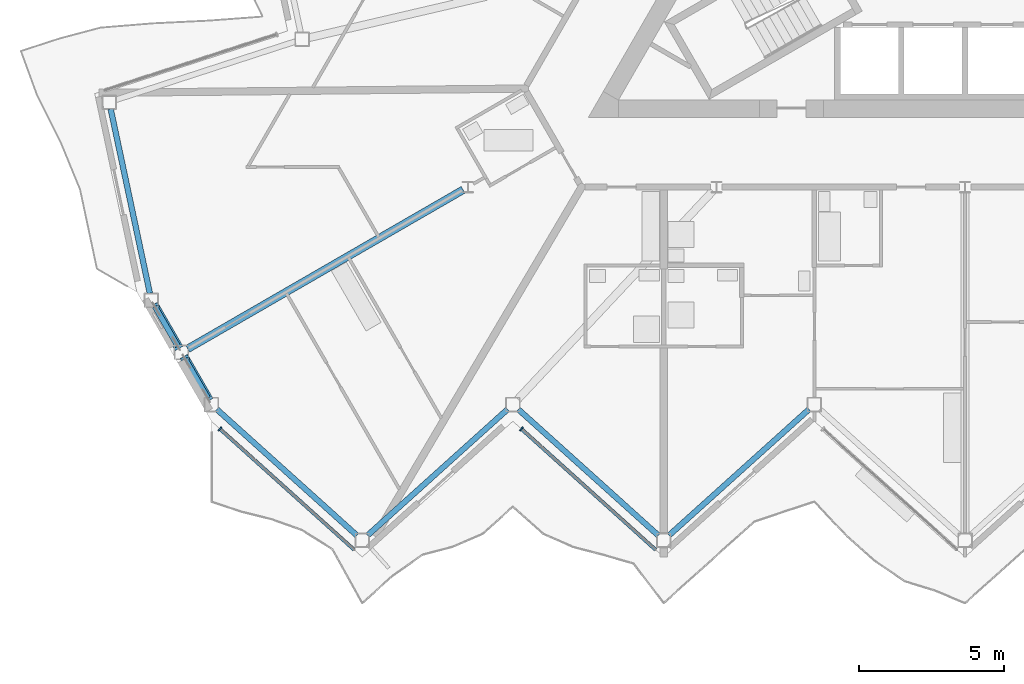
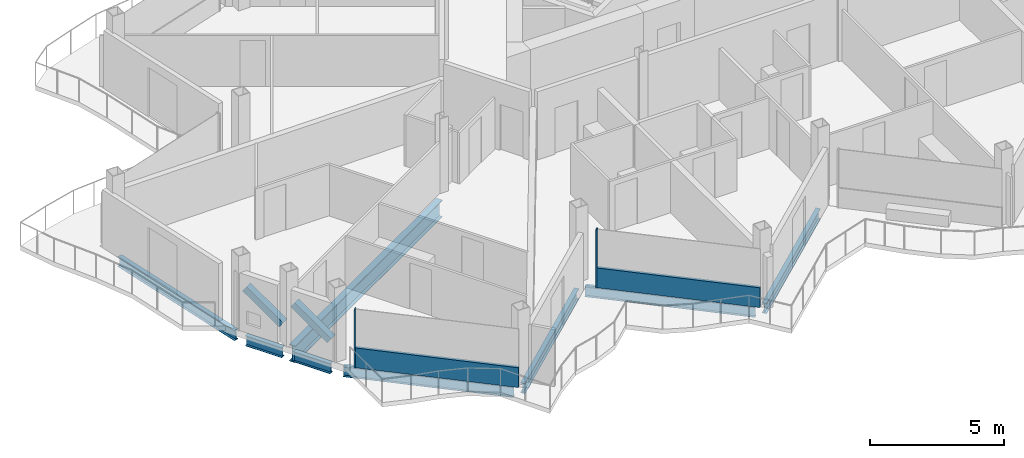
# One storey, part 4 of 26: 8 beams, 6 members, 2 elements without a shape of their own.
"""IFC4 building model written with IfcOpenShell, lengths in metres."""

from ifc_helpers import new_model, si_unit, direction, frame, origin, origin_2d, place, context, subcontext, project, spatial, rectangle, hollow_rectangle, i_section, extrude, material, layer, layer_set, material_profile, profile_set, type_object, element, aggregate, save


model = new_model("IFC4")

# Units and contexts
model_context = context("Model", 3, precision=1e-05, world=origin(), true_north=direction((0.0, 1.0)))
body_context = subcontext(model_context, "Body", "Model", "MODEL_VIEW")
ifc_project = project(units=[si_unit("LENGTHUNIT", "METRE"), si_unit("AREAUNIT", "SQUARE_METRE"), si_unit("VOLUMEUNIT", "CUBIC_METRE"), si_unit("PLANEANGLEUNIT", "RADIAN"), si_unit("MASSUNIT", "GRAM", prefix="KILO")], contexts=[model_context])

# Site, building, storey
site_placement = place(None, origin())
site = spatial("IfcSite", under=ifc_project, at=site_placement, CompositionType="ELEMENT")
building_placement = place(site_placement, origin())
building = spatial("IfcBuilding", under=site, at=building_placement, Name="Cormorant Prow Tower", CompositionType="ELEMENT")
storey_placement = place(building_placement, frame((0.0, 0.0, 371.199951171875)))
storey = spatial("IfcBuildingStorey", under=building, at=storey_placement, Name="L83", CompositionType="ELEMENT", Elevation=371.199951171875)

# Members
ifc_material_1 = material(Name="Structural steel ASTM A500 Gr C", Category="steel")
ifc_material_profile_1 = material_profile(ifc_material_1, hollow_rectangle(XDim=0.3046875, YDim=0.3046875, WallThickness=0.01171875, at=origin_2d()), Name="HSS12x12x1/2")
ifc_profile_set_1 = profile_set([ifc_material_profile_1], Name="Structural steel ASTM A500 Gr C")
member_type_1 = type_object("IfcMemberType", Name="Chamfer brace HSS12x12x1/2", PredefinedType="BRACE", material=ifc_profile_set_1)
member_1_placement = place(storey_placement, frame((-27.160400390625, -15.39599609375, 0.770751953125), z_axis=(-0.411259909174, 0.712333680754, 0.568723143867), x_axis=(-0.866028632512, -0.499994407638, 0.0)))
element("IfcMember", 1, at=member_1_placement, inside=storey, type_object=member_type_1, Name="Chamfer brace BR3 at WSW00 L83", PredefinedType="BRACE", context=body_context, shape_type="SweptSolid", body=[
    extrude(hollow_rectangle(XDim=0.3046875, YDim=0.3046875, WallThickness=0.01171875, at=origin_2d()), origin(), (0.0, 0.0, 1.0), 1.921142578125),
])
member_2_placement = place(storey_placement, frame((-26.123291015625, -17.192138671875, 0.770751953125), z_axis=(-0.41132825952, 0.712359043209, 0.568641940485), x_axis=(-0.866000359435, -0.500043375578, 0.0)))
element("IfcMember", 2, at=member_2_placement, inside=storey, type_object=member_type_1, Name="Chamfer brace BR3 at WSW01 L83", PredefinedType="BRACE", context=body_context, shape_type="SweptSolid", body=[
    extrude(hollow_rectangle(XDim=0.3046875, YDim=0.3046875, WallThickness=0.01171875, at=origin_2d()), origin(), (0.0, 0.0, 1.0), 1.92138671875),
])

# Beam
ifc_material_2 = material(Name="Structural steel ASTM A992 Gr 50", Category="steel")
ifc_material_profile_2 = material_profile(ifc_material_2, i_section(OverallWidth=0.267822265625, OverallDepth=0.77001953125, WebThickness=0.015625, FlangeThickness=0.025390625, at=origin_2d()), Name="W30x132")
ifc_profile_set_2 = profile_set([ifc_material_profile_2], Name="Structural steel ASTM A992 Gr 50")
beam_type_1 = type_object("IfcBeamType", Name="Radial floor beam W30x132", PredefinedType="BEAM", material=ifc_profile_set_2)
beam_1_placement = place(storey_placement, frame((-17.31884765625, -9.9990234375, -0.684814453125), z_axis=(-0.866018830095, -0.500011385791, 0.0), x_axis=(0.500011385791, -0.866018830095, 0.0)))
element("IfcBeam", 3, at=beam_1_placement, inside=storey, type_object=beam_type_1, Name="Radial floor beam FB3 5 L83", PredefinedType="BEAM", context=body_context, shape_type="SweptSolid", body=[
    extrude(i_section(OverallWidth=0.267822265625, OverallDepth=0.77001953125, WebThickness=0.015625, FlangeThickness=0.025390625, at=origin_2d()), origin(), (0.0, 0.0, 1.0), 10.971435546875),
])

# Curtain wall, member
ifc_material_3 = material(Name="Aluminium 6063-T6", Category="aluminium")
ifc_layer = layer(ifc_material_3, 0.159912109375)
ifc_layer_set = layer_set([ifc_layer], Name="Aluminium 6063-T6")
curtain_wall_type = type_object("IfcCurtainWallType", Name="Residential unitised curtain wall 160", PredefinedType="NOTDEFINED", material=ifc_layer_set)
curtain_wall_1_placement = place(storey_placement, origin())
curtain_wall_1 = element("IfcCurtainWall", 4, at=curtain_wall_1_placement, inside=storey, type_object=curtain_wall_type, Name="Residential curtain wall S00", PredefinedType="NOTDEFINED")
ifc_material_4 = material(Name="Aluminium 6063-T6", Category="aluminium")
ifc_material_profile_3 = material_profile(ifc_material_4, rectangle(XDim=0.159912109375, YDim=0.050048828125, at=origin_2d()), Name="Residential mullion 50x160")
ifc_profile_set_3 = profile_set([ifc_material_profile_3], Name="Aluminium 6063-T6")
member_type_2 = type_object("IfcMemberType", Name="Residential mullion 50x160", PredefinedType="MULLION", material=ifc_profile_set_3)
member_3_placement = place(storey_placement, frame((-25.70947265625, -18.2451171875, 0.0), z_axis=(0.0, 0.0, 1.0), x_axis=(0.669130603959, 0.743144827638, 0.0)))
member_3 = element("IfcMember", 5, at=member_3_placement, type_object=member_type_2, Name="Residential mullion S00", PredefinedType="MULLION", context=body_context, shape_type="SweptSolid", body=[
    extrude(rectangle(XDim=0.159912109375, YDim=0.050048828125, at=origin_2d()), origin(), (0.0, 0.0, 1.0), 2.634033203125),
])

curtain_wall_2_placement = place(storey_placement, origin())
curtain_wall_2 = element("IfcCurtainWall", 6, at=curtain_wall_2_placement, inside=storey, type_object=curtain_wall_type, Name="Residential curtain wall S02", PredefinedType="NOTDEFINED")
member_4_placement = place(storey_placement, frame((-15.309326171875, -18.2451171875, 0.0), z_axis=(0.0, 0.0, 1.0), x_axis=(0.669130603959, 0.743144827638, 0.0)))
member_4 = element("IfcMember", 7, at=member_4_placement, type_object=member_type_2, Name="Residential mullion S02", PredefinedType="MULLION", context=body_context, shape_type="SweptSolid", body=[
    extrude(rectangle(XDim=0.159912109375, YDim=0.050048828125, at=origin_2d()), origin(), (0.0, 0.0, 1.0), 2.634033203125),
])

# Member
ifc_material_5 = material(Name="Terracotta", Category="masonry")
ifc_material_profile_4 = material_profile(ifc_material_5, rectangle(XDim=0.1201171875, YDim=0.89990234375, at=origin_2d()), Name="Residential terracotta spandrel rail 120x900")
ifc_profile_set_4 = profile_set([ifc_material_profile_4], Name="Terracotta")
member_type_3 = type_object("IfcMemberType", Name="Residential terracotta spandrel rail 120x900", PredefinedType="USERDEFINED", material=ifc_profile_set_4)
member_5_placement = place(storey_placement, frame((-25.69091796875, -18.261962890625, 0.449951171875), z_axis=(0.743159360055, -0.669114463723, 0.0), x_axis=(0.669114463723, 0.743159360055, 0.0)))
member_5 = element("IfcMember", 8, at=member_5_placement, type_object=member_type_3, Name="Residential spandrel rail S00", ObjectType="TRANSOM", PredefinedType="USERDEFINED", context=body_context, shape_type="SweptSolid", body=[
    extrude(rectangle(XDim=0.1201171875, YDim=0.89990234375, at=origin_2d()), origin(), (0.0, 0.0, 1.0), 6.21533203125),
])

aggregate(curtain_wall_1, [member_3, member_5])

member_6_placement = place(storey_placement, frame((-15.290771484375, -18.261962890625, 0.449951171875), z_axis=(0.743159360055, -0.669114463723, 0.0), x_axis=(0.669114463723, 0.743159360055, 0.0)))
member_6 = element("IfcMember", 9, at=member_6_placement, type_object=member_type_3, Name="Residential spandrel rail S02", ObjectType="TRANSOM", PredefinedType="USERDEFINED", context=body_context, shape_type="SweptSolid", body=[
    extrude(rectangle(XDim=0.1201171875, YDim=0.89990234375, at=origin_2d()), origin(), (0.0, 0.0, 1.0), 6.21533203125),
])

aggregate(curtain_wall_2, [member_4, member_6])

# Beams
ifc_material_6 = material(Name="Structural steel ASTM A992 Gr 50", Category="steel")
ifc_material_profile_5 = material_profile(ifc_material_6, i_section(OverallWidth=0.19287109375, OverallDepth=0.466064453125, WebThickness=0.011474609375, FlangeThickness=0.01904296875, at=origin_2d()), Name="W18x65")
ifc_profile_set_5 = profile_set([ifc_material_profile_5], Name="Structural steel ASTM A992 Gr 50")
beam_type_2 = type_object("IfcBeamType", Name="Spandrel beam W18x65", PredefinedType="SPANDREL", material=ifc_profile_set_5)
for number, where, z_axis, x_axis, name in (
    (10, (-25.814208984375, -17.572998046875, -0.532958984375), (0.743131573737, -0.669145323614, 0.0), (0.669145323614, 0.743131573737, 0.0), "Spandrel beam SB4 S00-S01 L83"),
    (11, (-20.6142578125, -21.920654296875, -0.532958984375), (0.743131573737, 0.669145323614, 0.0), (-0.669145323614, 0.743131573737, 0.0), "Spandrel beam SB4 S01-S02 L83"),
):
    element("IfcBeam", number, at=place(storey_placement, frame(where, z_axis=z_axis, x_axis=x_axis)), inside=storey, type_object=beam_type_2, Name=name, PredefinedType="SPANDREL", context=body_context, shape_type="SweptSolid", body=[
        extrude(i_section(OverallWidth=0.19287109375, OverallDepth=0.466064453125, WebThickness=0.011474609375, FlangeThickness=0.01904296875, at=origin_2d()), origin(), (0.0, 0.0, 1.0), 6.497314453125),
    ])
beam_2_placement = place(storey_placement, frame((-15.414306640625, -17.572998046875, -0.532958984375), z_axis=(0.743148397689, -0.669126638995, 0.0), x_axis=(0.669126638995, 0.743148397689, 0.0)))
element("IfcBeam", 12, at=beam_2_placement, inside=storey, type_object=beam_type_2, Name="Spandrel beam SB4 S02-S03 L83", PredefinedType="SPANDREL", context=body_context, shape_type="SweptSolid", body=[
    extrude(i_section(OverallWidth=0.19287109375, OverallDepth=0.466064453125, WebThickness=0.011474609375, FlangeThickness=0.01904296875, at=origin_2d()), origin(), (0.0, 0.0, 1.0), 6.49755859375),
])
beam_3_placement = place(storey_placement, frame((-10.214111328125, -21.920654296875, -0.532958984375), z_axis=(0.743131573737, 0.669145323614, 0.0), x_axis=(-0.669145323614, 0.743131573737, 0.0)))
element("IfcBeam", 13, at=beam_3_placement, inside=storey, type_object=beam_type_2, Name="Spandrel beam SB4 S03-S04 L83", PredefinedType="SPANDREL", context=body_context, shape_type="SweptSolid", body=[
    extrude(i_section(OverallWidth=0.19287109375, OverallDepth=0.466064453125, WebThickness=0.011474609375, FlangeThickness=0.01904296875, at=origin_2d()), origin(), (0.0, 0.0, 1.0), 6.497314453125),
])
beam_4_placement = place(storey_placement, frame((-29.4765625, -7.2138671875, -0.532958984375), z_axis=(0.207901897373, -0.978149682344, 0.0), x_axis=(0.978149682344, 0.207901897373, 0.0)))
element("IfcBeam", 14, at=beam_4_placement, inside=storey, type_object=beam_type_2, Name="Spandrel beam SB4 WNW09-WSW00 L83", PredefinedType="SPANDREL", context=body_context, shape_type="SweptSolid", body=[
    extrude(i_section(OverallWidth=0.19287109375, OverallDepth=0.466064453125, WebThickness=0.011474609375, FlangeThickness=0.01904296875, at=origin_2d()), origin(), (0.0, 0.0, 1.0), 6.49755859375),
])
for number, where, z_axis, x_axis, name in (
    (15, (-27.94873046875, -14.0302734375, -0.532958984375), (0.499959680857, -0.866048680801, 0.0), (0.866048680801, 0.499959680857, 0.0), "Spandrel beam SB4 WSW00-WSW01 L83"),
    (16, (-26.911865234375, -15.826171875, -0.532958984375), (0.499959680857, -0.866048680801, 0.0), (0.866048680801, 0.499959680857, 0.0), "Spandrel beam SB4 WSW01-S00 L83"),
):
    element("IfcBeam", number, at=place(storey_placement, frame(where, z_axis=z_axis, x_axis=x_axis)), inside=storey, type_object=beam_type_2, Name=name, PredefinedType="SPANDREL", context=body_context, shape_type="SweptSolid", body=[
        extrude(i_section(OverallWidth=0.19287109375, OverallDepth=0.466064453125, WebThickness=0.011474609375, FlangeThickness=0.01904296875, at=origin_2d()), origin(), (0.0, 0.0, 1.0), 1.573974609375),
    ])

save(model, "model.ifc")
